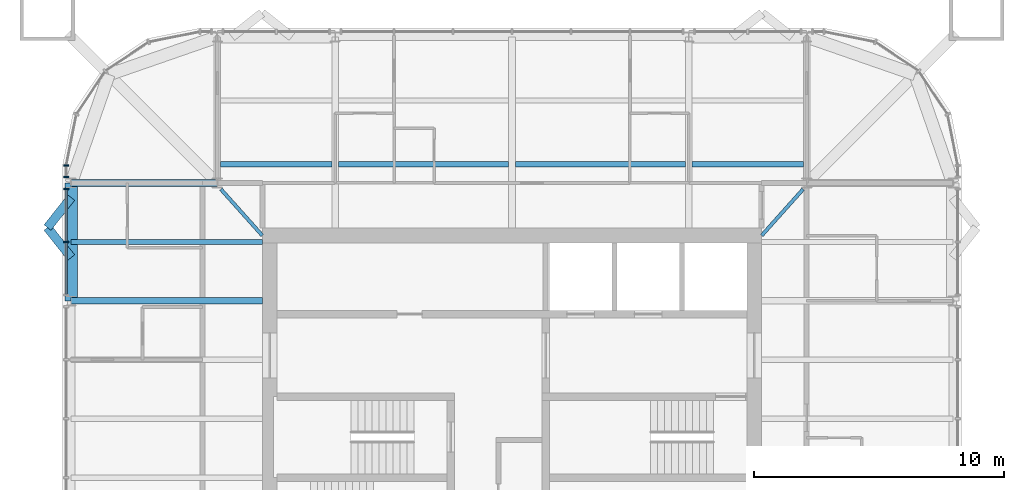
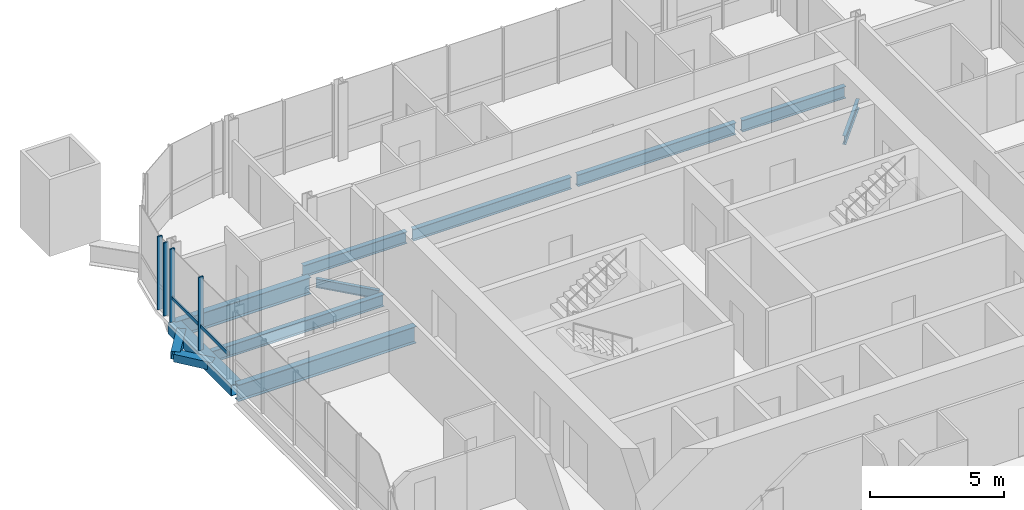
# One storey, part 4 of 17: 12 beams, 6 members, 2 elements without a shape of their own.
"""IFC4 building model written with IfcOpenShell, lengths in metres."""

from ifc_helpers import new_model, si_unit, direction, frame, origin, origin_2d, place, context, subcontext, project, spatial, rectangle, hollow_rectangle, i_section, extrude, material, material_profile, profile_set, type_object, element, aggregate, save


model = new_model("IFC4")

# Units and contexts
model_context = context("Model", 3, precision=1e-05, world=origin(), true_north=direction((0.0, 1.0)))
body_context = subcontext(model_context, "Body", "Model", "MODEL_VIEW")
ifc_project = project(units=[si_unit("LENGTHUNIT", "METRE"), si_unit("AREAUNIT", "SQUARE_METRE"), si_unit("VOLUMEUNIT", "CUBIC_METRE"), si_unit("PLANEANGLEUNIT", "RADIAN"), si_unit("MASSUNIT", "GRAM", prefix="KILO")], contexts=[model_context])

# Site, building, storey
site_placement = place(None, origin())
site = spatial("IfcSite", under=ifc_project, at=site_placement, CompositionType="ELEMENT")
building_placement = place(site_placement, origin())
building = spatial("IfcBuilding", under=site, at=building_placement, Name="Turquesa Mirador Hotel Tower", CompositionType="ELEMENT")
storey_placement = place(building_placement, frame((0.0, 0.0, 237.199951171875)))
storey = spatial("IfcBuildingStorey", under=building, at=storey_placement, Name="L64", CompositionType="ELEMENT", Elevation=237.199951171875)

# Beams
ifc_material_1 = material(Name="Steel ASTM A572 Grade 50", Category="steel")
ifc_material_profile_1 = material_profile(ifc_material_1, hollow_rectangle(XDim=0.5, YDim=0.5, WallThickness=0.01611328125, at=origin_2d()), Name="BOX500X500X16")
ifc_profile_set_1 = profile_set([ifc_material_profile_1], Name="Steel ASTM A572 Grade 50")
beam_type_1 = type_object("IfcBeamType", Name="BEAM BOX500X500X16", PredefinedType="BEAM", material=ifc_profile_set_1)
beam_1_placement = place(storey_placement, frame((37.35009765625, 52.080078125, -0.419921875), z_axis=(0.0, 1.0, 0.0), x_axis=(-1.0, 0.0, 0.0)))
element("IfcBeam", 1, at=beam_1_placement, inside=storey, type_object=beam_type_1, Name="EB-L64-W-R", PredefinedType="BEAM", context=body_context, shape_type="SweptSolid", body=[
    extrude(hollow_rectangle(XDim=0.5, YDim=0.5, WallThickness=0.01611328125, at=origin_2d()), origin(), (0.0, 0.0, 1.0), 4.719970703125),
])
ifc_material_2 = material(Name="Steel ASTM A992 Grade 50", Category="steel")
ifc_material_profile_2 = material_profile(ifc_material_2, i_section(OverallWidth=0.140380859375, OverallDepth=0.40380859375, WebThickness=0.007080078125, FlangeThickness=0.01123046875, at=origin_2d()), Name="W16X31")
ifc_profile_set_2 = profile_set([ifc_material_profile_2], Name="Steel ASTM A992 Grade 50")
beam_type_2 = type_object("IfcBeamType", Name="BEAM W16X31", PredefinedType="BEAM", material=ifc_profile_set_2)
for number, where, z_axis, x_axis, name in (
    (2, (66.656494140625, 56.55126953125, -0.371826171875), (-0.666806350186, -0.745231032198, 0.0), (0.745231032198, -0.666806350186, 0.0), "KT-L64-1"),
    (3, (43.343505859375, 56.55126953125, -0.371826171875), (0.666806350186, -0.745231032198, 0.0), (0.745231032198, 0.666806350186, 0.0), "KT-L64-2"),
):
    element("IfcBeam", number, at=place(storey_placement, frame(where, z_axis=z_axis, x_axis=x_axis)), inside=storey, type_object=beam_type_2, Name=name, PredefinedType="BEAM", context=body_context, shape_type="SweptSolid", body=[
        extrude(i_section(OverallWidth=0.140380859375, OverallDepth=0.40380859375, WebThickness=0.007080078125, FlangeThickness=0.01123046875, at=origin_2d()), origin(), (0.0, 0.0, 1.0), 2.484130859375),
    ])
ifc_material_3 = material(Name="Steel ASTM A992 Grade 50", Category="steel")
ifc_material_profile_3 = material_profile(ifc_material_3, i_section(OverallWidth=0.209228515625, OverallDepth=0.533447265625, WebThickness=0.01025390625, FlangeThickness=0.015625, at=origin_2d()), Name="W21X62")
ifc_profile_set_3 = profile_set([ifc_material_profile_3], Name="Steel ASTM A992 Grade 50")
beam_type_3 = type_object("IfcBeamType", Name="BEAM W21X62", PredefinedType="BEAM", material=ifc_profile_set_3)
beam_2_placement = place(storey_placement, frame((43.333251953125, 57.550048828125, -0.436767578125), z_axis=(1.0, 0.0, 0.0), x_axis=(0.0, 1.0, 0.0)))
element("IfcBeam", 4, at=beam_2_placement, inside=storey, type_object=beam_type_3, Name="IB-L64-N-1-0", PredefinedType="BEAM", context=body_context, shape_type="SweptSolid", body=[
    extrude(i_section(OverallWidth=0.209228515625, OverallDepth=0.533447265625, WebThickness=0.01025390625, FlangeThickness=0.015625, at=origin_2d()), origin(), (0.0, 0.0, 1.0), 4.453369140625),
])
for number, where, z_axis, x_axis, name in (
    (5, (48.053466796875, 57.550048828125, -0.436767578125), (1.0, 0.0, 0.0), (0.0, 1.0, 0.0), "IB-L64-N-1-1"),
    (6, (55.13330078125, 57.550048828125, -0.436767578125), (1.0, 0.0, 0.0), (0.0, 1.0, 0.0), "IB-L64-N-1-2"),
):
    element("IfcBeam", number, at=place(storey_placement, frame(where, z_axis=z_axis, x_axis=x_axis)), inside=storey, type_object=beam_type_3, Name=name, PredefinedType="BEAM", context=body_context, shape_type="SweptSolid", body=[
        extrude(i_section(OverallWidth=0.209228515625, OverallDepth=0.533447265625, WebThickness=0.01025390625, FlangeThickness=0.015625, at=origin_2d()), origin(), (0.0, 0.0, 1.0), 6.813232421875),
    ])
beam_3_placement = place(storey_placement, frame((62.21337890625, 57.550048828125, -0.436767578125), z_axis=(1.0, 0.0, 0.0), x_axis=(0.0, 1.0, 0.0)))
element("IfcBeam", 7, at=beam_3_placement, inside=storey, type_object=beam_type_3, Name="IB-L64-N-1-3", PredefinedType="BEAM", context=body_context, shape_type="SweptSolid", body=[
    extrude(i_section(OverallWidth=0.209228515625, OverallDepth=0.533447265625, WebThickness=0.01025390625, FlangeThickness=0.015625, at=origin_2d()), origin(), (0.0, 0.0, 1.0), 4.453369140625),
])
beam_4_placement = place(storey_placement, frame((37.35009765625, 54.43994140625, -0.436767578125), z_axis=(1.0, 0.0, 0.0), x_axis=(0.0, 1.0, 0.0)))
element("IfcBeam", 8, at=beam_4_placement, inside=storey, type_object=beam_type_3, Name="BM-L64-W-+9.44", PredefinedType="BEAM", context=body_context, shape_type="SweptSolid", body=[
    extrude(i_section(OverallWidth=0.209228515625, OverallDepth=0.533447265625, WebThickness=0.01025390625, FlangeThickness=0.015625, at=origin_2d()), origin(), (0.0, 0.0, 1.0), 7.64990234375),
])
ifc_material_4 = material(Name="Steel ASTM A992 Grade 50", Category="steel")
ifc_material_profile_4 = material_profile(ifc_material_4, i_section(OverallWidth=0.2666015625, OverallDepth=0.7568359375, WebThickness=0.013916015625, FlangeThickness=0.019287109375, at=origin_2d()), Name="W30X108")
ifc_profile_set_4 = profile_set([ifc_material_profile_4], Name="Steel ASTM A992 Grade 50")
beam_type_4 = type_object("IfcBeamType", Name="BEAM W30X108", PredefinedType="BEAM", material=ifc_profile_set_4)
beam_5_placement = place(storey_placement, frame((37.35009765625, 52.080078125, -0.54833984375), z_axis=(1.0, 0.0, 0.0), x_axis=(0.0, 1.0, 0.0)))
element("IfcBeam", 9, at=beam_5_placement, inside=storey, type_object=beam_type_4, Name="GD-L64-W-+7.08", PredefinedType="BEAM", context=body_context, shape_type="SweptSolid", body=[
    extrude(i_section(OverallWidth=0.2666015625, OverallDepth=0.7568359375, WebThickness=0.013916015625, FlangeThickness=0.019287109375, at=origin_2d()), origin(), (0.0, 0.0, 1.0), 7.64990234375),
])
beam_6_placement = place(storey_placement, frame((37.35009765625, 56.800048828125, -0.54833984375), z_axis=(1.0, 0.0, 0.0), x_axis=(0.0, 1.0, 0.0)))
element("IfcBeam", 10, at=beam_6_placement, inside=storey, type_object=beam_type_4, Name="GK-L64-W-+11.80", PredefinedType="BEAM", context=body_context, shape_type="SweptSolid", body=[
    extrude(i_section(OverallWidth=0.2666015625, OverallDepth=0.7568359375, WebThickness=0.013916015625, FlangeThickness=0.019287109375, at=origin_2d()), origin(), (0.0, 0.0, 1.0), 5.849853515625),
])
ifc_material_5 = material(Name="Steel ASTM A500 Grade C", Category="steel")
ifc_material_profile_5 = material_profile(ifc_material_5, hollow_rectangle(XDim=0.355712890625, YDim=0.355712890625, WallThickness=0.0146484375, at=origin_2d()), Name="HSS14X14X5/8")
ifc_profile_set_5 = profile_set([ifc_material_profile_5], Name="Steel ASTM A500 Grade C")
beam_type_5 = type_object("IfcBeamType", Name="BRACE STRUT HSS14X14X5/8", PredefinedType="BEAM", material=ifc_profile_set_5)
for number, where, z_axis, x_axis, name in (
    (11, (36.39990234375, 55.015380859375, -0.34765625), (0.620796907089, -0.783971428146, 0.0), (0.783971428146, 0.620796907089, 0.0), "Brace strut"),
    (12, (36.39990234375, 55.015380859375, -0.34765625), (0.620796907089, 0.783971428146, 0.0), (-0.783971428146, 0.620796907089, 0.0), "Brace strut"),
):
    element("IfcBeam", number, at=place(storey_placement, frame(where, z_axis=z_axis, x_axis=x_axis)), inside=storey, type_object=beam_type_5, Name=name, PredefinedType="BEAM", context=body_context, shape_type="SweptSolid", body=[
        extrude(hollow_rectangle(XDim=0.355712890625, YDim=0.355712890625, WallThickness=0.0146484375, at=origin_2d()), origin(), (0.0, 0.0, 1.0), 1.530517578125),
    ])

# Curtain wall, members
ifc_material_6 = material(Name="Aluminium extrusion", Category="aluminium")
curtain_wall_type = type_object("IfcCurtainWallType", Name="CW-4 SUITE FRITTED CURTAIN WALL", PredefinedType="USERDEFINED", material=ifc_material_6)
curtain_wall_1_placement = place(storey_placement, origin())
curtain_wall_1 = element("IfcCurtainWall", 13, at=curtain_wall_1_placement, inside=storey, type_object=curtain_wall_type, Name="CW-4 SUITE FRITTED CURTAIN WALL L64", ObjectType="CURTAIN WALL", PredefinedType="USERDEFINED")
ifc_material_7 = material(Name="Aluminium extrusion", Category="aluminium")
ifc_material_profile_6 = material_profile(ifc_material_7, rectangle(XDim=0.06494140625, YDim=0.199951171875, at=origin_2d()), Name="MULLION 65X200")
ifc_profile_set_6 = profile_set([ifc_material_profile_6], Name="Aluminium extrusion")
member_type_1 = type_object("IfcMemberType", Name="CW MULLION 65X200", PredefinedType="MULLION", material=ifc_profile_set_6)
member_1_placement = place(storey_placement, frame((37.14990234375, 57.5, 0.0), z_axis=(0.0, 0.0, 1.0), x_axis=(0.0, -1.0, 0.0)))
member_1 = element("IfcMember", 14, at=member_1_placement, type_object=member_type_1, Name="Mullion", PredefinedType="MULLION", context=body_context, shape_type="SweptSolid", body=[
    extrude(rectangle(XDim=0.06494140625, YDim=0.199951171875, at=origin_2d()), origin(), (0.0, 0.0, 1.0), 3.330078125),
])
member_2_placement = place(storey_placement, frame((37.14990234375, 57.033935546875, 0.0), z_axis=(0.0, 0.0, 1.0), x_axis=(0.0, -1.0, 0.0)))
member_2 = element("IfcMember", 15, at=member_2_placement, type_object=member_type_1, Name="Mullion", PredefinedType="MULLION", context=body_context, shape_type="SweptSolid", body=[
    extrude(rectangle(XDim=0.06494140625, YDim=0.199951171875, at=origin_2d()), origin(), (0.0, 0.0, 1.0), 3.330078125),
])
aggregate(curtain_wall_1, [member_1, member_2])

curtain_wall_2_placement = place(storey_placement, origin())
curtain_wall_2 = element("IfcCurtainWall", 16, at=curtain_wall_2_placement, inside=storey, type_object=curtain_wall_type, Name="CW-4 SUITE FRITTED CURTAIN WALL L64", ObjectType="CURTAIN WALL", PredefinedType="USERDEFINED")
member_3_placement = place(storey_placement, frame((37.14990234375, 56.566162109375, 0.0), z_axis=(0.0, 0.0, 1.0), x_axis=(0.0, -1.0, 0.0)))
member_3 = element("IfcMember", 17, at=member_3_placement, type_object=member_type_1, Name="Mullion", PredefinedType="MULLION", context=body_context, shape_type="SweptSolid", body=[
    extrude(rectangle(XDim=0.06494140625, YDim=0.199951171875, at=origin_2d()), origin(), (0.0, 0.0, 1.0), 3.330078125),
])
member_4_placement = place(storey_placement, frame((37.14990234375, 54.43994140625, 0.0), z_axis=(0.0, 0.0, 1.0), x_axis=(0.0, -1.0, 0.0)))
member_4 = element("IfcMember", 18, at=member_4_placement, type_object=member_type_1, Name="Mullion", PredefinedType="MULLION", context=body_context, shape_type="SweptSolid", body=[
    extrude(rectangle(XDim=0.06494140625, YDim=0.199951171875, at=origin_2d()), origin(), (0.0, 0.0, 1.0), 3.330078125),
])
ifc_material_8 = material(Name="Aluminium extrusion", Category="aluminium")
ifc_material_profile_7 = material_profile(ifc_material_8, rectangle(XDim=0.06494140625, YDim=0.14990234375, at=origin_2d()), Name="TRANSOM 65X150")
ifc_profile_set_7 = profile_set([ifc_material_profile_7], Name="Aluminium extrusion")
member_type_2 = type_object("IfcMemberType", Name="CW TRANSOM 65X150", PredefinedType="USERDEFINED", material=ifc_profile_set_7)
member_5_placement = place(storey_placement, frame((37.14990234375, 56.53369140625, 1.10009765625), z_axis=(0.0, -1.0, 0.0), x_axis=(1.0, 0.0, 0.0)))
member_5 = element("IfcMember", 19, at=member_5_placement, type_object=member_type_2, Name="Transom", ObjectType="TRANSOM", PredefinedType="USERDEFINED", context=body_context, shape_type="SweptSolid", body=[
    extrude(rectangle(XDim=0.06494140625, YDim=0.14990234375, at=origin_2d()), origin(), (0.0, 0.0, 1.0), 2.061279296875),
])
member_6_placement = place(storey_placement, frame((37.14990234375, 54.407470703125, 1.10009765625), z_axis=(0.0, -1.0, 0.0), x_axis=(1.0, 0.0, 0.0)))
member_6 = element("IfcMember", 20, at=member_6_placement, type_object=member_type_2, Name="Transom", ObjectType="TRANSOM", PredefinedType="USERDEFINED", context=body_context, shape_type="SweptSolid", body=[
    extrude(rectangle(XDim=0.06494140625, YDim=0.14990234375, at=origin_2d()), origin(), (0.0, 0.0, 1.0), 2.06103515625),
])
aggregate(curtain_wall_2, [member_3, member_4, member_5, member_6])

save(model, "model.ifc")
